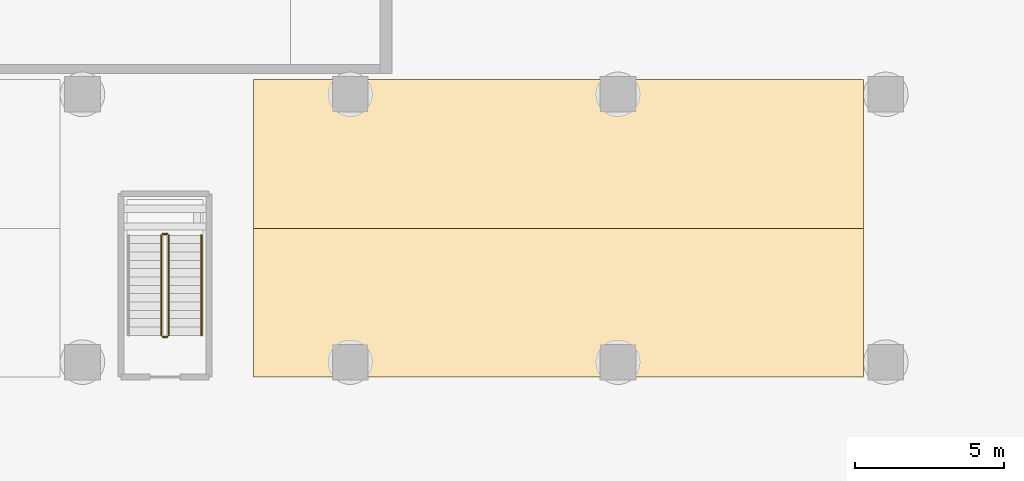
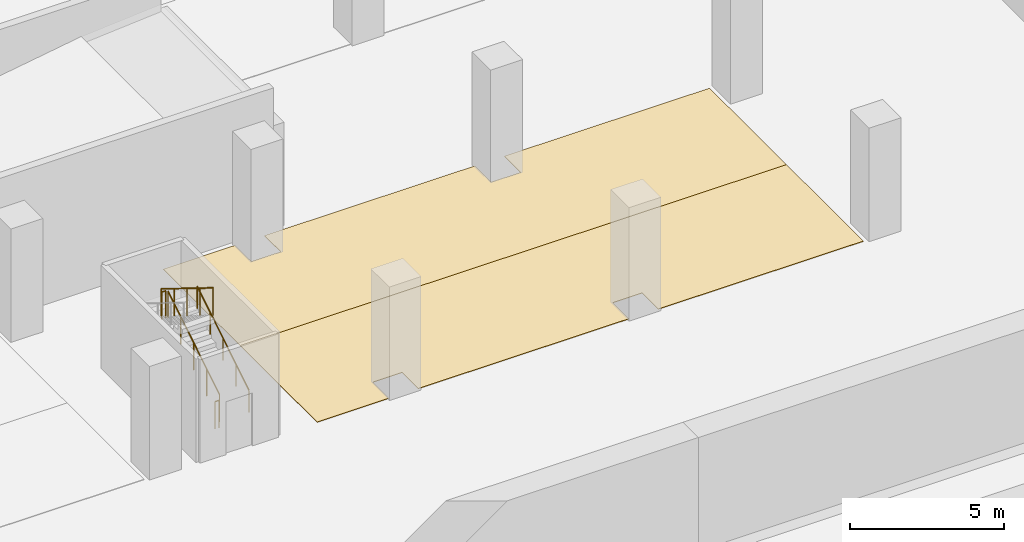
# One storey, part 32 of 39: 5 railings, 2 coverings.
"""IFC4 building model written with IfcOpenShell, lengths in metres."""

from ifc_helpers import new_model, si_unit, direction, frame, origin, origin_2d, place, context, subcontext, project, spatial, polyline, circle, outline, extrude, material, layer, layer_set, type_object, element, save


model = new_model("IFC4")

# Units and contexts
model_context = context("Model", 3, precision=1e-05, world=origin(), true_north=direction((0.0, 1.0)))
body_context = subcontext(model_context, "Body", "Model", "MODEL_VIEW")
ifc_project = project(units=[si_unit("LENGTHUNIT", "METRE"), si_unit("AREAUNIT", "SQUARE_METRE"), si_unit("VOLUMEUNIT", "CUBIC_METRE"), si_unit("PLANEANGLEUNIT", "RADIAN"), si_unit("MASSUNIT", "GRAM", prefix="KILO")], contexts=[model_context])

# Site, building, storey
site_placement = place(None, origin())
site = spatial("IfcSite", under=ifc_project, at=site_placement, CompositionType="ELEMENT")
building_placement = place(site_placement, origin())
building = spatial("IfcBuilding", under=site, at=building_placement, Name="Ogive Gate Towers", CompositionType="ELEMENT")
storey_placement = place(building_placement, frame((0.0, 0.0, -9.0)))
storey = spatial("IfcBuildingStorey", under=building, at=storey_placement, Name="B2", CompositionType="ELEMENT", Elevation=-9.0)

# Railings
ifc_material_1 = material(Name="Painted steel", Category="steel")
railing_type_1 = type_object("IfcRailingType", Name="Car park stair guard 1100", PredefinedType="GUARDRAIL", material=ifc_material_1)
railing_1_placement = place(storey_placement, frame((92.89990234375, -62.10009765625, 0.173095703125)))
element("IfcRailing", 1, at=railing_1_placement, inside=storey, type_object=railing_type_1, Name="B2 CS8 stair guard 1", PredefinedType="GUARDRAIL", context=body_context, shape_type="SweptSolid", body=[
    extrude(circle(Radius=0.02392578125, at=origin_2d()), frame((0.0, 0.0, 1.076171875), z_axis=(0.0, 0.850623216509, 0.525775754039), x_axis=(-1.0, 0.0, 0.0)), (0.0, 0.0, 1.0), 3.9501953125),
    extrude(circle(Radius=0.02099609375, at=origin_2d()), origin(), (0.0, 0.0, 1.0), 1.052001953125),
    extrude(circle(Radius=0.02099609375, at=origin_2d()), frame((0.0, 0.840087890625, 0.519287109375)), (0.0, 0.0, 1.0), 1.052001953125),
    extrude(circle(Radius=0.02099609375, at=origin_2d()), frame((0.0, 1.68017578125, 1.03857421875)), (0.0, 0.0, 1.0), 1.052001953125),
    extrude(circle(Radius=0.02099609375, at=origin_2d()), frame((0.0, 2.52001953125, 1.5576171875)), (0.0, 0.0, 1.0), 1.052001953125),
    extrude(circle(Radius=0.02099609375, at=origin_2d()), frame((0.0, 3.360107421875, 2.076904296875)), (0.0, 0.0, 1.0), 1.052001953125),
])
railing_2_placement = place(storey_placement, frame((92.85009765625, -58.68994140625, 2.25)))
element("IfcRailing", 2, at=railing_2_placement, inside=storey, type_object=railing_type_1, Name="B2 CS8 stair guard 2", PredefinedType="GUARDRAIL", context=body_context, shape_type="SweptSolid", body=[
    extrude(circle(Radius=0.02392578125, at=origin_2d()), frame((0.0, 0.0, 1.076171875), z_axis=(-1.0, 0.0, 0.0), x_axis=(0.0, -1.0, 0.0)), (0.0, 0.0, 1.0), 0.150146484375),
    extrude(circle(Radius=0.02099609375, at=origin_2d()), origin(), (0.0, 0.0, 1.0), 1.052001953125),
    extrude(circle(Radius=0.02099609375, at=origin_2d()), frame((-0.150146484375, 0.0, 0.0)), (0.0, 0.0, 1.0), 1.052001953125),
])
railing_3_placement = place(storey_placement, frame((92.64990234375, -58.739990234375, 2.423095703125)))
element("IfcRailing", 3, at=railing_3_placement, inside=storey, type_object=railing_type_1, Name="B2 CS8 stair guard 3", PredefinedType="GUARDRAIL", context=body_context, shape_type="SweptSolid", body=[
    extrude(circle(Radius=0.02392578125, at=origin_2d()), frame((0.0, 0.0, 1.076171875), z_axis=(0.0, -0.850623216509, 0.525775754039), x_axis=(1.0, 0.0, 0.0)), (0.0, 0.0, 1.0), 3.9501953125),
    extrude(circle(Radius=0.02099609375, at=origin_2d()), origin(), (0.0, 0.0, 1.0), 1.052001953125),
    extrude(circle(Radius=0.02099609375, at=origin_2d()), frame((0.0, -0.840087890625, 0.519287109375)), (0.0, 0.0, 1.0), 1.052001953125),
    extrude(circle(Radius=0.02099609375, at=origin_2d()), frame((0.0, -1.68017578125, 1.03857421875)), (0.0, 0.0, 1.0), 1.052001953125),
    extrude(circle(Radius=0.02099609375, at=origin_2d()), frame((0.0, -2.52001953125, 1.5576171875)), (0.0, 0.0, 1.0), 1.052001953125),
    extrude(circle(Radius=0.02099609375, at=origin_2d()), frame((0.0, -3.360107421875, 2.076904296875)), (0.0, 0.0, 1.0), 1.052001953125),
])
railing_4_placement = place(storey_placement, frame((92.85009765625, -62.14990234375, 0.0)))
element("IfcRailing", 4, at=railing_4_placement, inside=storey, type_object=railing_type_1, Name="B2 CS8 stair guard 4", PredefinedType="GUARDRAIL", context=body_context, shape_type="SweptSolid", body=[
    extrude(circle(Radius=0.02392578125, at=origin_2d()), frame((0.0, 0.0, 1.076171875), z_axis=(-1.0, 0.0, 0.0), x_axis=(0.0, -1.0, 0.0)), (0.0, 0.0, 1.0), 0.150146484375),
    extrude(circle(Radius=0.02099609375, at=origin_2d()), origin(), (0.0, 0.0, 1.0), 1.052001953125),
    extrude(circle(Radius=0.02099609375, at=origin_2d()), frame((-0.150146484375, 0.0, 0.0)), (0.0, 0.0, 1.0), 1.052001953125),
])
ifc_material_2 = material(Name="Stainless steel handrail", Category="steel")
railing_type_2 = type_object("IfcRailingType", Name="Car park stair handrail 900", PredefinedType="HANDRAIL", material=ifc_material_2)
railing_5_placement = place(storey_placement, frame((94.0, -62.10009765625, 0.173095703125)))
element("IfcRailing", 5, at=railing_5_placement, inside=storey, type_object=railing_type_2, Name="B2 CS8 stair handrail 1", PredefinedType="HANDRAIL", context=body_context, shape_type="SweptSolid", body=[
    extrude(circle(Radius=0.02392578125, at=origin_2d()), frame((0.0, 0.0, 0.8759765625), z_axis=(0.0, 0.850623216509, 0.525775754039), x_axis=(-1.0, 0.0, 0.0)), (0.0, 0.0, 1.0), 3.9501953125),
    extrude(circle(Radius=0.02099609375, at=origin_2d()), origin(), (0.0, 0.0, 1.0), 0.851806640625),
    extrude(circle(Radius=0.02099609375, at=origin_2d()), frame((0.0, 0.840087890625, 0.519287109375)), (0.0, 0.0, 1.0), 0.851806640625),
    extrude(circle(Radius=0.02099609375, at=origin_2d()), frame((0.0, 1.68017578125, 1.03857421875)), (0.0, 0.0, 1.0), 0.851806640625),
    extrude(circle(Radius=0.02099609375, at=origin_2d()), frame((0.0, 2.52001953125, 1.5576171875)), (0.0, 0.0, 1.0), 0.851806640625),
    extrude(circle(Radius=0.02099609375, at=origin_2d()), frame((0.0, 3.360107421875, 2.076904296875)), (0.0, 0.0, 1.0), 0.851806640625),
])

# Coverings
ifc_material_3 = material(Name="Painted floor marking")
ifc_layer = layer(ifc_material_3, 0.02001953125)
ifc_layer_set = layer_set([ifc_layer], Name="Parking bay marking")
covering_type = type_object("IfcCoveringType", Name="Parking bay marking", PredefinedType="FLOORING", material=ifc_layer_set)
covering_1_placement = place(storey_placement, origin())
element("IfcCovering", 6, at=covering_1_placement, inside=storey, type_object=covering_type, Name="Parking bays B2-396 to B2-402", PredefinedType="FLOORING", context=body_context, shape_type="SweptSolid", body=[
    extrude(outline(polyline([(116.25, -58.5), (116.25, -63.5), (108.550048828125, -63.5), (108.550048828125, -62.449951171875), (107.449951171875, -62.449951171875), (107.449951171875, -63.5), (99.550048828125, -63.5), (99.550048828125, -62.449951171875), (98.449951171875, -62.449951171875), (98.449951171875, -63.5), (95.75, -63.5), (95.75, -58.5), (116.25, -58.5)])), origin(), (0.0, 0.0, 1.0), 0.02001953125),
])
covering_2_placement = place(storey_placement, origin())
element("IfcCovering", 7, at=covering_2_placement, inside=storey, type_object=covering_type, Name="Parking bays B2-809 to B2-815", PredefinedType="FLOORING", context=body_context, shape_type="SweptSolid", body=[
    extrude(outline(polyline([(98.449951171875, -53.5), (98.449951171875, -54.550048828125), (99.550048828125, -54.550048828125), (99.550048828125, -53.5), (107.449951171875, -53.5), (107.449951171875, -54.550048828125), (108.550048828125, -54.550048828125), (108.550048828125, -53.5), (116.25, -53.5), (116.25, -58.5), (95.75, -58.5), (95.75, -53.5), (98.449951171875, -53.5)])), origin(), (0.0, 0.0, 1.0), 0.02001953125),
])

save(model, "model.ifc")
